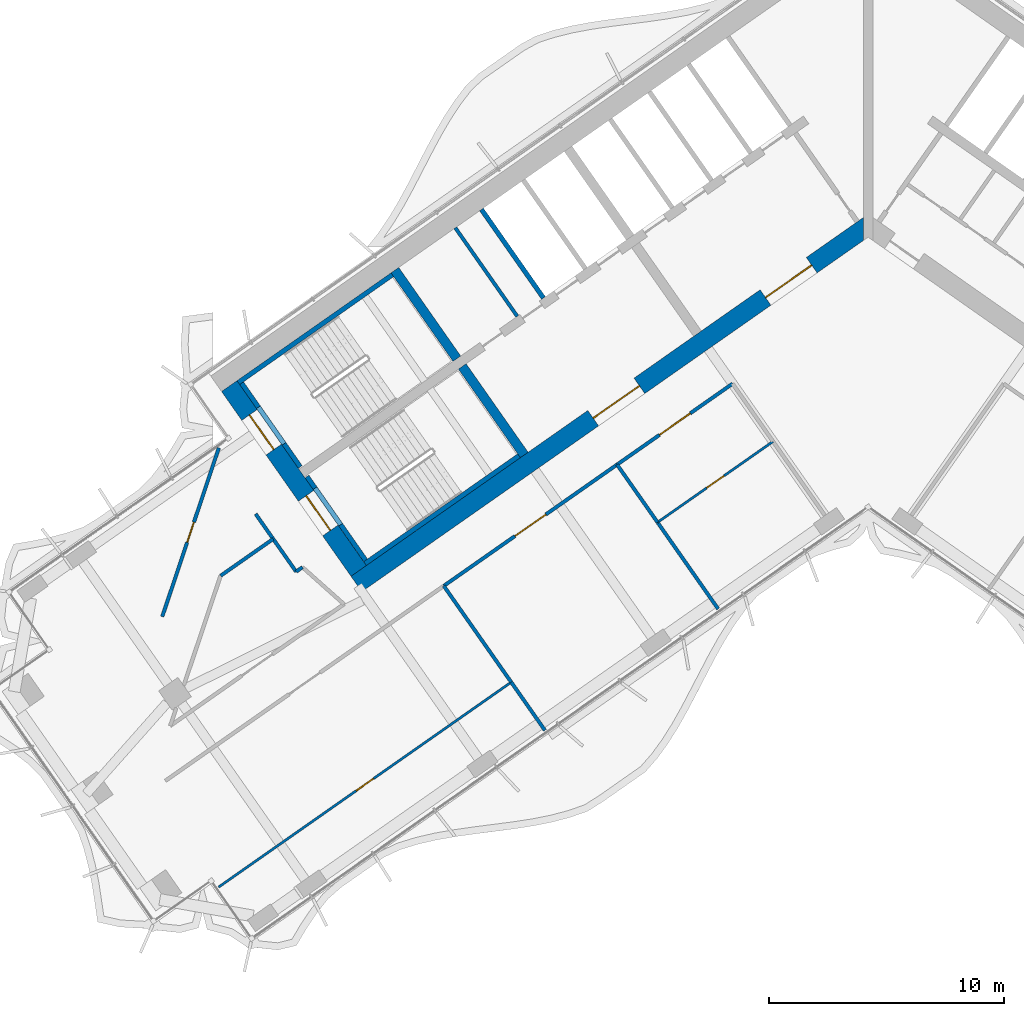
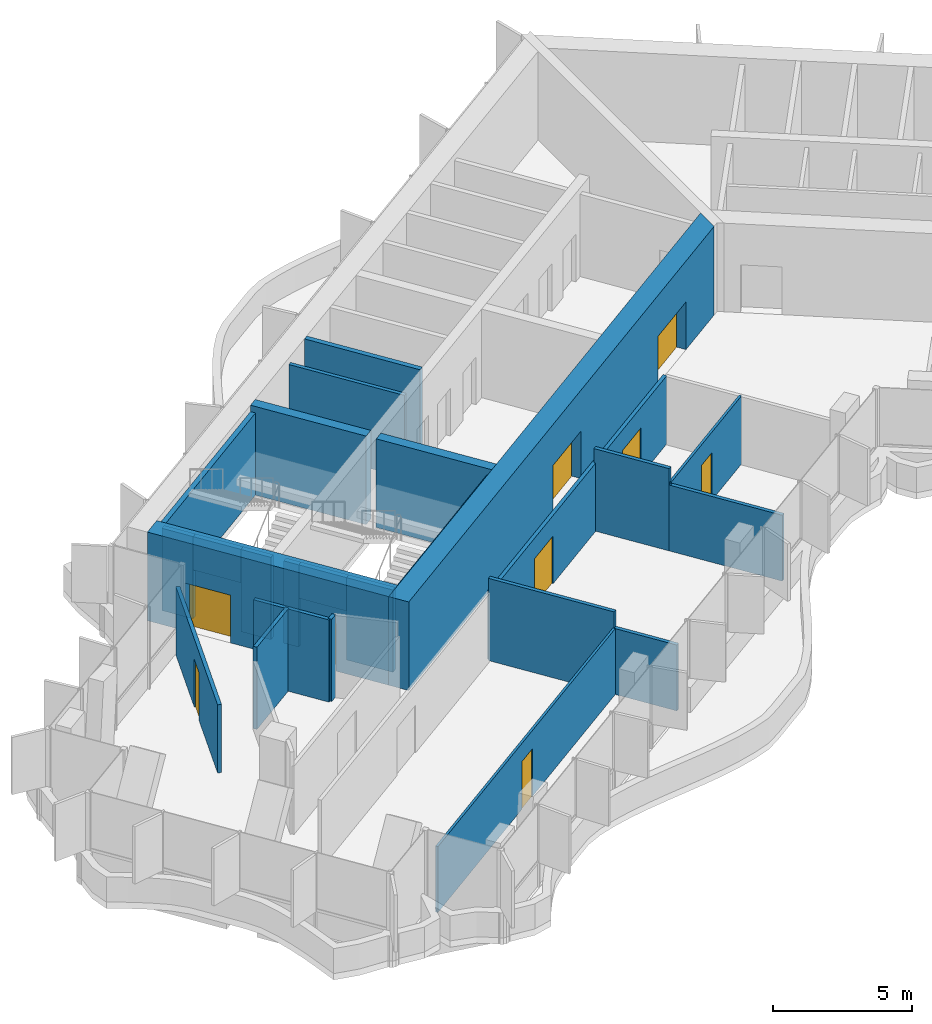
# One storey, part 14 of 23: 26 walls, 9 doors, 9 openings.
"""IFC4 building model written with IfcOpenShell, lengths in metres."""

from ifc_helpers import new_model, si_unit, direction, frame, frame_2d, origin, place, context, subcontext, project, spatial, polyline, rectangle, outline, extrude, material, layer, layer_set, type_object, element, fill, save


model = new_model("IFC4")

# Units and contexts
model_context = context("Model", 3, precision=1e-05, world=origin(), true_north=direction((0.0, 1.0)))
body_context = subcontext(model_context, "Body", "Model", "MODEL_VIEW")
ifc_project = project(units=[si_unit("LENGTHUNIT", "METRE"), si_unit("AREAUNIT", "SQUARE_METRE"), si_unit("VOLUMEUNIT", "CUBIC_METRE"), si_unit("PLANEANGLEUNIT", "RADIAN"), si_unit("MASSUNIT", "GRAM", prefix="KILO")], contexts=[model_context])

# Site, building, storey
site_placement = place(None, origin())
site = spatial("IfcSite", under=ifc_project, at=site_placement, CompositionType="ELEMENT")
building_placement = place(site_placement, origin())
building = spatial("IfcBuilding", under=site, at=building_placement, Name="Tel Ilan Convention Tower", CompositionType="ELEMENT")
storey_placement = place(building_placement, frame((0.0, 0.0, 198.300048828125)))
storey = spatial("IfcBuildingStorey", under=building, at=storey_placement, Name="L46", CompositionType="ELEMENT", Elevation=198.300048828125)

# Walls
ifc_material_1 = material(Name="Gypsum Plasterboard on Steel Stud", Category="steel")
ifc_layer_1 = layer(ifc_material_1, 0.14990234375)
ifc_layer_set_1 = layer_set([ifc_layer_1], Name="Core Room Partition Wall 150 mm EI 60")
wall_type_1 = type_object("IfcWallType", Name="Core Room Partition Wall 150 mm EI 60", PredefinedType="PARTITIONING", material=ifc_layer_set_1)
wall_1_placement = place(storey_placement, frame((-14.92578125, -4.59130859375, 0.0), z_axis=(0.0, 0.0, 1.0), x_axis=(-0.573576324356, 0.819152122709, 0.0)))
element("IfcWall", 1, at=wall_1_placement, inside=storey, type_object=wall_type_1, Name="L46 core wall bank-W2-split", PredefinedType="PARTITIONING", context=body_context, shape_type="SweptSolid", body=[
    extrude(rectangle(XDim=4.599853515625, YDim=0.14990234375, at=frame_2d((2.2998046875, 0.0))), origin(), (0.0, 0.0, 1.0), 3.619873046875),
])
ifc_material_2 = material(Name="Concrete C50/60", Category="concrete")
ifc_layer_2 = layer(ifc_material_2, 0.39990234375)
ifc_layer_set_2 = layer_set([ifc_layer_2], Name="Core Shear Wall 400 mm C50/60")
wall_type_2 = type_object("IfcWallType", Name="Core Shear Wall 400 mm C50/60", PredefinedType="SHEAR", material=ifc_layer_set_2)
wall_2_placement = place(storey_placement, frame((-14.6298828125, -10.48828125, 0.0), z_axis=(0.0, 0.0, 1.0), x_axis=(-0.573611936273, 0.819127185829, 0.0)))
element("IfcWall", 2, at=wall_2_placement, inside=storey, type_object=wall_type_2, Name="L46 core wall W-cross2-1", PredefinedType="SHEAR", context=body_context, shape_type="SweptSolid", body=[
    extrude(outline(polyline([(4.60009765625, 0.199951171875), (0.000244140625, 0.2001953125), (0.000244140625, -0.199951171875), (4.60009765625, -0.2001953125), (4.60009765625, 0.199951171875)])), origin(), (0.0, 0.0, 1.0), 3.89990234375),
])
wall_3_placement = place(storey_placement, frame((-17.497802734375, -6.392333984375, 0.0), z_axis=(0.0, 0.0, 1.0), x_axis=(-0.573611936273, 0.819127185829, 0.0)))
element("IfcWall", 3, at=wall_3_placement, inside=storey, type_object=wall_type_2, Name="L46 core wall W-cross2-2", PredefinedType="SHEAR", context=body_context, shape_type="SweptSolid", body=[
    extrude(outline(polyline([(4.599853515625, -0.2001953125), (4.599853515625, 0.199951171875), (0.0, 0.2001953125), (0.0, -0.199951171875), (4.599853515625, -0.2001953125)])), origin(), (0.0, 0.0, 1.0), 3.89990234375),
])

# Wall, openings, doors
ifc_material_3 = material(Name="Concrete C50/60", Category="concrete")
ifc_layer_3 = layer(ifc_material_3, 0.800048828125)
ifc_layer_set_3 = layer_set([ifc_layer_3], Name="Core Shear Wall 800 mm C50/60")
wall_type_3 = type_object("IfcWallType", Name="Core Shear Wall 800 mm C50/60", PredefinedType="SHEAR", material=ifc_layer_set_3)
wall_4_placement = place(storey_placement, frame((0.029296875, -0.7119140625, 0.0), z_axis=(0.0, 0.0, 1.0), x_axis=(-0.819151758019, -0.573576845187, 0.0)))
wall_4 = element("IfcWall", 4, at=wall_4_placement, inside=storey, type_object=wall_type_3, Name="L46 core wall W-front", PredefinedType="SHEAR", context=body_context, shape_type="SweptSolid", body=[
    extrude(outline(polyline([(26.61572265625, 0.39990234375), (0.56005859375, 0.39990234375), (-0.000244140625, -0.39990234375), (26.61572265625, -0.39990234375), (26.61572265625, 0.39990234375)])), origin(), (0.0, 0.0, 1.0), 3.89990234375),
])
opening_1_placement = place(wall_4_placement, frame((2.9658203125, 0.0, 0.0)))
opening_1 = element("IfcOpeningElement", 5, at=opening_1_placement, cuts=wall_4, Name="Opening CD3605", PredefinedType="OPENING", context=body_context, shape_type="SweptSolid", body=[
    extrude(rectangle(XDim=2.39990234375, YDim=2.10009765625, at=frame_2d((1.199951171875, 1.050048828125))), frame((0.0, 0.409912109375, 0.0), z_axis=(0.0, -1.0, 0.0), x_axis=(1.0, 0.0, 0.0)), (0.0, 0.0, 1.0), 0.820068359375),
])
opening_2_placement = place(wall_4_placement, frame((11.915771484375, 0.0, 0.0)))
opening_2 = element("IfcOpeningElement", 6, at=opening_2_placement, cuts=wall_4, Name="Opening CD3606", PredefinedType="OPENING", context=body_context, shape_type="SweptSolid", body=[
    extrude(rectangle(XDim=2.39990234375, YDim=2.10009765625, at=frame_2d((1.199951171875, 1.050048828125))), frame((0.0, 0.409912109375, 0.0), z_axis=(0.0, -1.0, 0.0), x_axis=(1.0, 0.0, 0.0)), (0.0, 0.0, 1.0), 0.820068359375),
])
ifc_material_4 = material(Name="Glazed Aluminium Door Leaf", Category="aluminium")
door_type_1 = type_object("IfcDoorType", Name="Lobby Opening Door 2400 x 2100 FD60S", OperationType="NOTDEFINED", PredefinedType="DOOR", material=ifc_material_4)
door_1_placement = place(opening_1_placement, origin())
door_1 = element("IfcDoor", 7, at=door_1_placement, inside=storey, type_object=door_type_1, Name="Lift Lobby LR1-LR4 opening", OperationType="DOUBLE_DOOR_SINGLE_SWING", OverallHeight=2.10009765625, OverallWidth=2.39990234375, PredefinedType="DOOR", context=body_context, shape_type="SweptSolid", body=[
    extrude(rectangle(XDim=2.39990234375, YDim=2.10009765625, at=frame_2d((1.199951171875, 1.050048828125))), frame((0.0, 0.02490234375, 0.0), z_axis=(0.0, -1.0, 0.0), x_axis=(1.0, 0.0, 0.0)), (0.0, 0.0, 1.0), 0.050048828125),
])
fill(opening_1, door_1)
door_2_placement = place(opening_2_placement, origin())
door_2 = element("IfcDoor", 8, at=door_2_placement, inside=storey, type_object=door_type_1, Name="Lift Lobby LR5-LR6 opening", OperationType="DOUBLE_DOOR_SINGLE_SWING", OverallHeight=2.10009765625, OverallWidth=2.39990234375, PredefinedType="DOOR", context=body_context, shape_type="SweptSolid", body=[
    extrude(rectangle(XDim=2.39990234375, YDim=2.10009765625, at=frame_2d((1.199951171875, 1.050048828125))), frame((0.0, 0.02490234375, 0.0), z_axis=(0.0, -1.0, 0.0), x_axis=(1.0, 0.0, 0.0)), (0.0, 0.0, 1.0), 0.050048828125),
])
fill(opening_2, door_2)

wall_5_placement = place(storey_placement, frame((-21.6748046875, -15.4208984375, 0.0), z_axis=(0.0, 0.0, 1.0), x_axis=(-0.573581815061, 0.819148278049, 0.0)))
wall_5 = element("IfcWall", 9, at=wall_5_placement, inside=storey, type_object=wall_type_3, Name="L46 core wall W-end", PredefinedType="SHEAR", context=body_context, shape_type="SweptSolid", body=[
    extrude(outline(polyline([(0.0, 0.39990234375), (0.0, -0.39990234375), (9.599853515625, -0.400146484375), (9.599853515625, 0.39990234375), (0.0, 0.39990234375)])), origin(), (0.0, 0.0, 1.0), 3.89990234375),
])
opening_3_placement = place(wall_5_placement, frame((6.300048828125, 0.0, 0.0)))
opening_3 = element("IfcOpeningElement", 10, at=opening_3_placement, cuts=wall_5, Name="Opening SD3601", PredefinedType="OPENING", context=body_context, shape_type="SweptSolid", body=[
    extrude(rectangle(XDim=1.800048828125, YDim=2.10009765625, at=frame_2d((0.89990234375, 1.050048828125))), frame((0.0, 0.409912109375, 0.0), z_axis=(0.0, -1.0, 0.0), x_axis=(1.0, 0.0, 0.0)), (0.0, 0.0, 1.0), 0.820068359375),
])
opening_4_placement = place(wall_5_placement, frame((2.10009765625, 0.0, 0.0)))
opening_4 = element("IfcOpeningElement", 11, at=opening_4_placement, cuts=wall_5, Name="Opening SD3602", PredefinedType="OPENING", context=body_context, shape_type="SweptSolid", body=[
    extrude(rectangle(XDim=1.800048828125, YDim=2.10009765625, at=frame_2d((0.89990234375, 1.050048828125))), frame((0.0, 0.409912109375, 0.0), z_axis=(0.0, -1.0, 0.0), x_axis=(1.0, 0.0, 0.0)), (0.0, 0.0, 1.0), 0.820068359375),
])
ifc_material_5 = material(Name="Galvanised Steel Door Leaf", Category="steel")
door_type_2 = type_object("IfcDoorType", Name="Stair Fire Door 1800 x 2100 FD60S", OperationType="NOTDEFINED", PredefinedType="DOOR", material=ifc_material_5)
door_3_placement = place(opening_3_placement, origin())
door_3 = element("IfcDoor", 12, at=door_3_placement, inside=storey, type_object=door_type_2, Name="Stair S1 door", OperationType="DOUBLE_DOOR_SINGLE_SWING", OverallHeight=2.10009765625, OverallWidth=1.800048828125, PredefinedType="DOOR", context=body_context, shape_type="SweptSolid", body=[
    extrude(rectangle(XDim=1.800048828125, YDim=2.10009765625, at=frame_2d((0.89990234375, 1.050048828125))), frame((0.0, 0.02490234375, 0.0), z_axis=(0.0, -1.0, 0.0), x_axis=(1.0, 0.0, 0.0)), (0.0, 0.0, 1.0), 0.050048828125),
])
fill(opening_3, door_3)
door_4_placement = place(opening_4_placement, origin())
door_4 = element("IfcDoor", 13, at=door_4_placement, inside=storey, type_object=door_type_2, Name="Stair S2 door", OperationType="DOUBLE_DOOR_SINGLE_SWING", OverallHeight=2.10009765625, OverallWidth=1.800048828125, PredefinedType="DOOR", context=body_context, shape_type="SweptSolid", body=[
    extrude(rectangle(XDim=1.800048828125, YDim=2.10009765625, at=frame_2d((0.89990234375, 1.050048828125))), frame((0.0, 0.02490234375, 0.0), z_axis=(0.0, -1.0, 0.0), x_axis=(1.0, 0.0, 0.0)), (0.0, 0.0, 1.0), 0.050048828125),
])
fill(opening_4, door_4)

# Wall, opening, door
ifc_material_6 = material(Name="Plasterboard on Steel Studs", Category="steel")
ifc_layer_4 = layer(ifc_material_6, 0.14990234375)
ifc_layer_set_4 = layer_set([ifc_layer_4], Name="Fire-rated Partition 150 EI 60")
wall_type_4 = type_object("IfcWallType", Name="Fire-rated Partition 150 EI 60", PredefinedType="PARTITIONING", material=ifc_layer_set_4)
wall_6_placement = place(storey_placement, frame((-5.766357421875, -7.455810546875, 0.0), z_axis=(0.0, 0.0, 1.0), x_axis=(-0.819147828287, -0.573582457378, 0.0)))
wall_6 = element("IfcWall", 14, at=wall_6_placement, inside=storey, type_object=wall_type_4, Name="Partition 007", PredefinedType="PARTITIONING", context=body_context, shape_type="SweptSolid", body=[
    extrude(rectangle(XDim=6.001953125, YDim=0.14990234375, at=frame_2d((3.0009765625, 0.0))), origin(), (0.0, 0.0, 1.0), 3.0),
])
opening_5_placement = place(wall_6_placement, frame((2.200927734375, 0.0, 0.0)))
opening_5 = element("IfcOpeningElement", 15, at=opening_5_placement, cuts=wall_6, Name="Opening L46-001", PredefinedType="OPENING", context=body_context, shape_type="SweptSolid", body=[
    extrude(rectangle(XDim=1.60009765625, YDim=2.10009765625, at=frame_2d((0.800048828125, 1.050048828125))), frame((0.0, 0.0849609375, 0.0), z_axis=(0.0, -1.0, 0.0), x_axis=(1.0, 0.0, 0.0)), (0.0, 0.0, 1.0), 0.169921875),
])
ifc_material_7 = material(Name="Timber Door Leaf in Steel Frame", Category="steel")
door_type_3 = type_object("IfcDoorType", Name="Tenant Suite Entrance Fire Door 1600x2100", OperationType="NOTDEFINED", PredefinedType="DOOR", material=ifc_material_7)
door_5_placement = place(opening_5_placement, origin())
door_5 = element("IfcDoor", 16, at=door_5_placement, inside=storey, type_object=door_type_3, Name="Door L46-001", OperationType="DOUBLE_DOOR_SINGLE_SWING", OverallHeight=2.10009765625, OverallWidth=1.60009765625, PredefinedType="DOOR", context=body_context, shape_type="SweptSolid", body=[
    extrude(rectangle(XDim=1.60009765625, YDim=2.10009765625, at=frame_2d((0.800048828125, 1.050048828125))), frame((0.0, 0.02490234375, 0.0), z_axis=(0.0, -1.0, 0.0), x_axis=(1.0, 0.0, 0.0)), (0.0, 0.0, 1.0), 0.050048828125),
])
fill(opening_5, door_5)

wall_7_placement = place(storey_placement, frame((-10.6796875, -10.89599609375, 0.0), z_axis=(0.0, 0.0, 1.0), x_axis=(-0.819151661297, -0.57357698332, 0.0)))
wall_7 = element("IfcWall", 17, at=wall_7_placement, inside=storey, type_object=wall_type_4, Name="Partition 008", PredefinedType="PARTITIONING", context=body_context, shape_type="SweptSolid", body=[
    extrude(rectangle(XDim=9.004150390625, YDim=0.14990234375, at=frame_2d((4.501953125, 0.0))), origin(), (0.0, 0.0, 1.0), 3.0),
])
opening_6_placement = place(wall_7_placement, frame((3.701904296875, 0.0, 0.0)))
opening_6 = element("IfcOpeningElement", 18, at=opening_6_placement, cuts=wall_7, Name="Opening L46-003", PredefinedType="OPENING", context=body_context, shape_type="SweptSolid", body=[
    extrude(rectangle(XDim=1.60009765625, YDim=2.10009765625, at=frame_2d((0.800048828125, 1.050048828125))), frame((0.0, 0.0849609375, 0.0), z_axis=(0.0, -1.0, 0.0), x_axis=(1.0, 0.0, 0.0)), (0.0, 0.0, 1.0), 0.169921875),
])
door_6_placement = place(opening_6_placement, origin())
door_6 = element("IfcDoor", 19, at=door_6_placement, inside=storey, type_object=door_type_3, Name="Door L46-003", OperationType="DOUBLE_DOOR_SINGLE_SWING", OverallHeight=2.10009765625, OverallWidth=1.60009765625, PredefinedType="DOOR", context=body_context, shape_type="SweptSolid", body=[
    extrude(rectangle(XDim=1.60009765625, YDim=2.10009765625, at=frame_2d((0.800048828125, 1.050048828125))), frame((0.0, 0.02490234375, 0.0), z_axis=(0.0, -1.0, 0.0), x_axis=(1.0, 0.0, 0.0)), (0.0, 0.0, 1.0), 0.050048828125),
])
fill(opening_6, door_6)

wall_8_placement = place(storey_placement, frame((-30.03271484375, -17.3681640625, 0.0), z_axis=(0.0, 0.0, 1.0), x_axis=(0.318064204216, 0.948069175744, 0.0)))
wall_8 = element("IfcWall", 20, at=wall_8_placement, inside=storey, type_object=wall_type_4, Name="Partition 025", PredefinedType="PARTITIONING", context=body_context, shape_type="SweptSolid", body=[
    extrude(rectangle(XDim=7.5751953125, YDim=0.14990234375, at=frame_2d((3.78759765625, 0.0))), origin(), (0.0, 0.0, 1.0), 3.0),
])
opening_7_placement = place(wall_8_placement, frame((3.337646484375, 0.0, 0.0)))
opening_7 = element("IfcOpeningElement", 21, at=opening_7_placement, cuts=wall_8, Name="Opening L46-016", PredefinedType="OPENING", context=body_context, shape_type="SweptSolid", body=[
    extrude(rectangle(XDim=0.89990234375, YDim=2.10009765625, at=frame_2d((0.449951171875, 1.050048828125))), frame((0.0, 0.0849609375, 0.0), z_axis=(0.0, -1.0, 0.0), x_axis=(1.0, 0.0, 0.0)), (0.0, 0.0, 1.0), 0.169921875),
])
ifc_material_8 = material(Name="Timber Door Leaf in Steel Frame", Category="steel")
door_type_4 = type_object("IfcDoorType", Name="Room Fire Door 900x2100", OperationType="NOTDEFINED", PredefinedType="DOOR", material=ifc_material_8)
door_7_placement = place(opening_7_placement, origin())
door_7 = element("IfcDoor", 22, at=door_7_placement, inside=storey, type_object=door_type_4, Name="Door L46-016", OperationType="SINGLE_SWING_RIGHT", OverallHeight=2.10009765625, OverallWidth=0.89990234375, PredefinedType="DOOR", context=body_context, shape_type="SweptSolid", body=[
    extrude(rectangle(XDim=0.89990234375, YDim=2.10009765625, at=frame_2d((0.449951171875, 1.050048828125))), frame((0.0, 0.02490234375, 0.0), z_axis=(0.0, -1.0, 0.0), x_axis=(1.0, 0.0, 0.0)), (0.0, 0.0, 1.0), 0.050048828125),
])
fill(opening_7, door_7)

# Walls
wall_9_placement = place(storey_placement, frame((-25.31298828125, -14.06201171875, 0.0), z_axis=(0.0, 0.0, 1.0), x_axis=(-0.819244526937, -0.573444334774, 0.0)))
element("IfcWall", 23, at=wall_9_placement, inside=storey, type_object=wall_type_4, Name="Partition 027", PredefinedType="PARTITIONING", context=body_context, shape_type="SweptSolid", body=[
    extrude(rectangle(XDim=2.7294921875, YDim=0.14990234375, at=frame_2d((1.36474609375, 0.0))), origin(), (0.0, 0.0, 1.0), 3.619873046875),
])
wall_10_placement = place(storey_placement, frame((-24.337158203125, -15.4541015625, 0.0), z_axis=(0.0, 0.0, 1.0), x_axis=(-0.573560650686, 0.819163097304, 0.0)))
element("IfcWall", 24, at=wall_10_placement, inside=storey, type_object=wall_type_4, Name="Partition 030", PredefinedType="PARTITIONING", context=body_context, shape_type="SweptSolid", body=[
    extrude(rectangle(XDim=3.0, YDim=0.14990234375, at=frame_2d((1.5, 0.0))), origin(), (0.0, 0.0, 1.0), 3.619873046875),
])
wall_11_placement = place(storey_placement, frame((-24.066650390625, -15.2646484375, 0.0), z_axis=(0.0, 0.0, 1.0), x_axis=(-0.819092976344, -0.573660784876, 0.0)))
element("IfcWall", 25, at=wall_11_placement, inside=storey, type_object=wall_type_4, Name="Partition 032", PredefinedType="PARTITIONING", context=body_context, shape_type="SweptSolid", body=[
    extrude(rectangle(XDim=0.330322265625, YDim=0.14990234375, at=frame_2d((0.1650390625, 0.0))), origin(), (0.0, 0.0, 1.0), 3.619873046875),
])
wall_12_placement = place(storey_placement, frame((-6.37939453125, -17.041015625, 0.0), z_axis=(0.0, 0.0, 1.0), x_axis=(-0.573564311442, 0.819160534108, 0.0)))
element("IfcWall", 26, at=wall_12_placement, inside=storey, type_object=wall_type_4, Name="Partition 034", PredefinedType="PARTITIONING", context=body_context, shape_type="SweptSolid", body=[
    extrude(rectangle(XDim=4.499267578125, YDim=0.14990234375, at=frame_2d((2.24951171875, 0.0))), origin(), (0.0, 0.0, 1.0), 2.89990234375),
])
wall_13_placement = place(storey_placement, frame((-8.96044921875, -13.354736328125, 0.0), z_axis=(0.0, 0.0, 1.0), x_axis=(-0.573615254604, 0.819124862085, 0.0)))
element("IfcWall", 27, at=wall_13_placement, inside=storey, type_object=wall_type_4, Name="Partition 035", PredefinedType="PARTITIONING", context=body_context, shape_type="SweptSolid", body=[
    extrude(rectangle(XDim=3.000244140625, YDim=0.14990234375, at=frame_2d((1.5, 0.0))), origin(), (0.0, 0.0, 1.0), 3.619873046875),
])
wall_14_placement = place(storey_placement, frame((-13.751708984375, -22.203125, 0.0), z_axis=(0.0, 0.0, 1.0), x_axis=(-0.57356715775, 0.819158541157, 0.0)))
element("IfcWall", 28, at=wall_14_placement, inside=storey, type_object=wall_type_4, Name="Partition 036", PredefinedType="PARTITIONING", context=body_context, shape_type="SweptSolid", body=[
    extrude(rectangle(XDim=2.501220703125, YDim=0.14990234375, at=frame_2d((1.25048828125, 0.0))), origin(), (0.0, 0.0, 1.0), 2.89990234375),
])
wall_15_placement = place(storey_placement, frame((-15.1845703125, -20.156982421875, 0.0), z_axis=(0.0, 0.0, 1.0), x_axis=(-0.573590089534, 0.819142484058, 0.0)))
element("IfcWall", 29, at=wall_15_placement, inside=storey, type_object=wall_type_4, Name="Partition 037", PredefinedType="PARTITIONING", context=body_context, shape_type="SweptSolid", body=[
    extrude(rectangle(XDim=5.001953125, YDim=0.14990234375, at=frame_2d((2.5009765625, 0.0))), origin(), (0.0, 0.0, 1.0), 3.619873046875),
])
ifc_material_9 = material(Name="Concrete C30/37", Category="concrete")
ifc_layer_5 = layer(ifc_material_9, 0.199951171875)
ifc_layer_set_5 = layer_set([ifc_layer_5], Name="Lift Shaft Wall 200 mm C30/37")
wall_type_5 = type_object("IfcWallType", Name="Lift Shaft Wall 200 mm C30/37", PredefinedType="SOLIDWALL", material=ifc_layer_set_5)
wall_16_placement = place(storey_placement, frame((-13.811767578125, -3.811279296875, 0.0), z_axis=(0.0, 0.0, 1.0), x_axis=(-0.573576324356, 0.819152122709, 0.0)))
element("IfcWall", 30, at=wall_16_placement, inside=storey, type_object=wall_type_5, Name="L46 core wall bank-W2-p1", PredefinedType="SOLIDWALL", context=body_context, shape_type="SweptSolid", body=[
    extrude(rectangle(XDim=4.599853515625, YDim=0.199951171875, at=frame_2d((2.2998046875, 0.0))), origin(), (0.0, 0.0, 1.0), 3.89990234375),
])

# Wall, opening, door
ifc_material_10 = material(Name="Plasterboard on Steel Studs", Category="steel")
ifc_layer_6 = layer(ifc_material_10, 0.10009765625)
ifc_layer_set_6 = layer_set([ifc_layer_6], Name="Plasterboard Partition 100")
wall_type_6 = type_object("IfcWallType", Name="Plasterboard Partition 100", PredefinedType="PARTITIONING", material=ifc_layer_set_6)
wall_17_placement = place(storey_placement, frame((-4.045166015625, -9.9140625, 0.0), z_axis=(0.0, 0.0, 1.0), x_axis=(-0.819149710902, -0.573579768758, 0.0)))
wall_17 = element("IfcWall", 31, at=wall_17_placement, inside=storey, type_object=wall_type_6, Name="Partition 033", PredefinedType="PARTITIONING", context=body_context, shape_type="SweptSolid", body=[
    extrude(rectangle(XDim=5.999755859375, YDim=0.10009765625, at=frame_2d((3.0, 0.0))), origin(), (0.0, 0.0, 1.0), 3.0),
])
opening_8_placement = place(wall_17_placement, frame((2.550048828125, 0.0, 0.0)))
opening_8 = element("IfcOpeningElement", 32, at=opening_8_placement, cuts=wall_17, Name="Opening L46-002", PredefinedType="OPENING", context=body_context, shape_type="SweptSolid", body=[
    extrude(rectangle(XDim=0.89990234375, YDim=2.10009765625, at=frame_2d((0.449951171875, 1.050048828125))), frame((0.0, 0.06005859375, 0.0), z_axis=(0.0, -1.0, 0.0), x_axis=(1.0, 0.0, 0.0)), (0.0, 0.0, 1.0), 0.1201171875),
])
ifc_material_11 = material(Name="Timber Door Leaf in Steel Frame", Category="steel")
door_type_5 = type_object("IfcDoorType", Name="Room Timber Door 900x2100", OperationType="NOTDEFINED", PredefinedType="DOOR", material=ifc_material_11)
door_8_placement = place(opening_8_placement, origin())
door_8 = element("IfcDoor", 33, at=door_8_placement, inside=storey, type_object=door_type_5, Name="Door L46-002", OperationType="SINGLE_SWING_RIGHT", OverallHeight=2.10009765625, OverallWidth=0.89990234375, PredefinedType="DOOR", context=body_context, shape_type="SweptSolid", body=[
    extrude(rectangle(XDim=0.89990234375, YDim=2.10009765625, at=frame_2d((0.449951171875, 1.050048828125))), frame((0.0, 0.02490234375, 0.0), z_axis=(0.0, -1.0, 0.0), x_axis=(1.0, 0.0, 0.0)), (0.0, 0.0, 1.0), 0.050048828125),
])
fill(opening_8, door_8)

wall_18_placement = place(storey_placement, frame((-15.185302734375, -20.156005859375, 0.0), z_axis=(0.0, 0.0, 1.0), x_axis=(-0.819143623959, -0.573588461641, 0.0)))
wall_18 = element("IfcWall", 34, at=wall_18_placement, inside=storey, type_object=wall_type_6, Name="Partition 038", PredefinedType="PARTITIONING", context=body_context, shape_type="SweptSolid", body=[
    extrude(rectangle(XDim=15.199951171875, YDim=0.10009765625, at=frame_2d((7.60009765625, 0.0))), origin(), (0.0, 0.0, 1.0), 2.89990234375),
])
opening_9_placement = place(wall_18_placement, frame((7.14990234375, 0.0, 0.0)))
opening_9 = element("IfcOpeningElement", 35, at=opening_9_placement, cuts=wall_18, Name="Opening L46-005", PredefinedType="OPENING", context=body_context, shape_type="SweptSolid", body=[
    extrude(rectangle(XDim=0.89990234375, YDim=2.10009765625, at=frame_2d((0.449951171875, 1.050048828125))), frame((0.0, 0.06005859375, 0.0), z_axis=(0.0, -1.0, 0.0), x_axis=(1.0, 0.0, 0.0)), (0.0, 0.0, 1.0), 0.1201171875),
])
door_9_placement = place(opening_9_placement, origin())
door_9 = element("IfcDoor", 36, at=door_9_placement, inside=storey, type_object=door_type_5, Name="Door L46-005", OperationType="SINGLE_SWING_LEFT", OverallHeight=2.10009765625, OverallWidth=0.89990234375, PredefinedType="DOOR", context=body_context, shape_type="SweptSolid", body=[
    extrude(rectangle(XDim=0.89990234375, YDim=2.10009765625, at=frame_2d((0.449951171875, 1.050048828125))), frame((0.0, 0.02490234375, 0.0), z_axis=(0.0, -1.0, 0.0), x_axis=(1.0, 0.0, 0.0)), (0.0, 0.0, 1.0), 0.050048828125),
])
fill(opening_9, door_9)

# Walls
ifc_material_12 = material(Name="Concrete C30/37", Category="concrete")
ifc_layer_7 = layer(ifc_material_12, 0.199951171875)
ifc_layer_set_7 = layer_set([ifc_layer_7], Name="Stair and Shaft Lining Wall 200 mm C30/37")
wall_type_7 = type_object("IfcWallType", Name="Stair and Shaft Lining Wall 200 mm C30/37", PredefinedType="SOLIDWALL", material=ifc_layer_set_7)
wall_19_placement = place(storey_placement, frame((-20.242919921875, -2.821044921875, 0.0), z_axis=(0.0, 0.0, 1.0), x_axis=(-0.819141584393, -0.57359137434, 0.0)))
element("IfcWall", 37, at=wall_19_placement, inside=storey, type_object=wall_type_7, Name="L46 core wall lining-S1-t1", PredefinedType="SOLIDWALL", context=body_context, shape_type="SweptSolid", body=[
    extrude(rectangle(XDim=7.999755859375, YDim=0.199951171875, at=frame_2d((4.0, 0.0))), origin(), (0.0, 0.0, 1.0), 3.619873046875),
])
wall_20_placement = place(storey_placement, frame((-24.16162109375, -10.99755859375, 0.0), z_axis=(0.0, 0.0, 1.0), x_axis=(-0.573612502218, 0.819126789514, 0.0)))
element("IfcWall", 38, at=wall_20_placement, inside=storey, type_object=wall_type_7, Name="L46 core wall lining-S1-u1-0", PredefinedType="SOLIDWALL", context=body_context, shape_type="SweptSolid", body=[
    extrude(rectangle(XDim=1.2001953125, YDim=0.199951171875, at=frame_2d((0.60009765625, 0.0))), origin(), (0.0, 0.0, 1.0), 3.619873046875),
])
wall_21_placement = place(storey_placement, frame((-25.939697265625, -8.4580078125, 0.0), z_axis=(0.0, 0.0, 1.0), x_axis=(-0.573619628835, 0.819121798889, 0.0)))
element("IfcWall", 39, at=wall_21_placement, inside=storey, type_object=wall_type_7, Name="L46 core wall lining-S1-u1-1", PredefinedType="SOLIDWALL", context=body_context, shape_type="SweptSolid", body=[
    extrude(rectangle(XDim=1.25, YDim=0.199951171875, at=frame_2d((0.625, 0.0))), origin(), (0.0, 0.0, 1.0), 3.619873046875),
])
wall_22_placement = place(storey_placement, frame((-24.85009765625, -10.014404296875, 2.14990234375), z_axis=(0.0, 0.0, 1.0), x_axis=(-0.573505465124, 0.819201734296, 0.0)))
element("IfcWall", 40, at=wall_22_placement, inside=storey, type_object=wall_type_7, Name="L46 core wall lining-S1-u1-lintel", PredefinedType="SOLIDWALL", context=body_context, shape_type="SweptSolid", body=[
    extrude(rectangle(XDim=1.89990234375, YDim=0.199951171875, at=frame_2d((0.949951171875, 0.0))), origin(), (0.0, 0.0, 1.0), 1.469970703125),
])
wall_23_placement = place(storey_placement, frame((-14.851318359375, -10.52099609375, 0.0), z_axis=(0.0, 0.0, 1.0), x_axis=(-0.819141584393, -0.57359137434, 0.0)))
element("IfcWall", 41, at=wall_23_placement, inside=storey, type_object=wall_type_7, Name="L46 core wall lining-S2-t0", PredefinedType="SOLIDWALL", context=body_context, shape_type="SweptSolid", body=[
    extrude(rectangle(XDim=7.999755859375, YDim=0.199951171875, at=frame_2d((4.0, 0.0))), origin(), (0.0, 0.0, 1.0), 3.619873046875),
])
wall_24_placement = place(storey_placement, frame((-21.3798828125, -14.97021484375, 0.0), z_axis=(0.0, 0.0, 1.0), x_axis=(-0.573559770908, 0.819163713305, 0.0)))
element("IfcWall", 42, at=wall_24_placement, inside=storey, type_object=wall_type_7, Name="L46 core wall lining-S2-u1-0", PredefinedType="SOLIDWALL", context=body_context, shape_type="SweptSolid", body=[
    extrude(rectangle(XDim=1.849853515625, YDim=0.199951171875, at=frame_2d((0.9248046875, 0.0))), origin(), (0.0, 0.0, 1.0), 3.619873046875),
])
wall_25_placement = place(storey_placement, frame((-23.53076171875, -11.8984375, 0.0), z_axis=(0.0, 0.0, 1.0), x_axis=(-0.573708088123, 0.819059844958, 0.0)))
element("IfcWall", 43, at=wall_25_placement, inside=storey, type_object=wall_type_7, Name="L46 core wall lining-S2-u1-1", PredefinedType="SOLIDWALL", context=body_context, shape_type="SweptSolid", body=[
    extrude(rectangle(XDim=0.60009765625, YDim=0.199951171875, at=frame_2d((0.300048828125, 0.0))), origin(), (0.0, 0.0, 1.0), 3.619873046875),
])
wall_26_placement = place(storey_placement, frame((-22.44091796875, -13.454833984375, 2.14990234375), z_axis=(0.0, 0.0, 1.0), x_axis=(-0.573591692345, 0.819141361715, 0.0)))
element("IfcWall", 44, at=wall_26_placement, inside=storey, type_object=wall_type_7, Name="L46 core wall lining-S2-u1-lintel", PredefinedType="SOLIDWALL", context=body_context, shape_type="SweptSolid", body=[
    extrude(rectangle(XDim=1.900146484375, YDim=0.199951171875, at=frame_2d((0.9501953125, 0.0))), origin(), (0.0, 0.0, 1.0), 1.469970703125),
])

save(model, "model.ifc")
